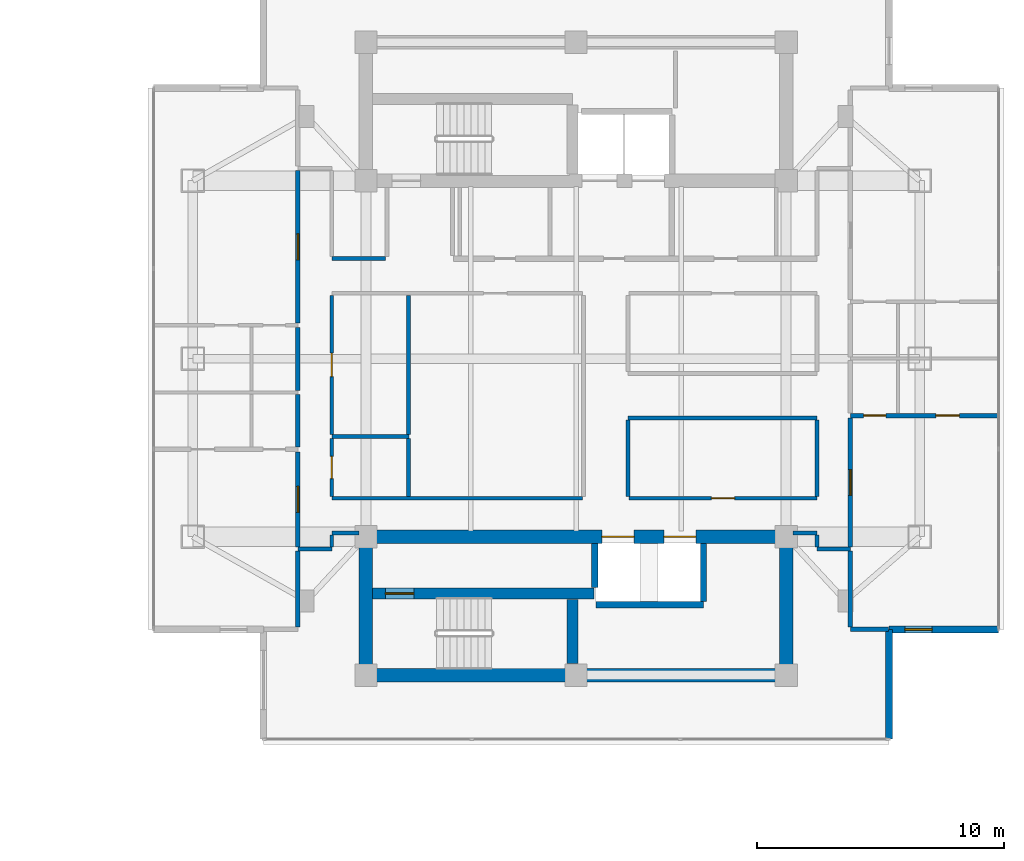
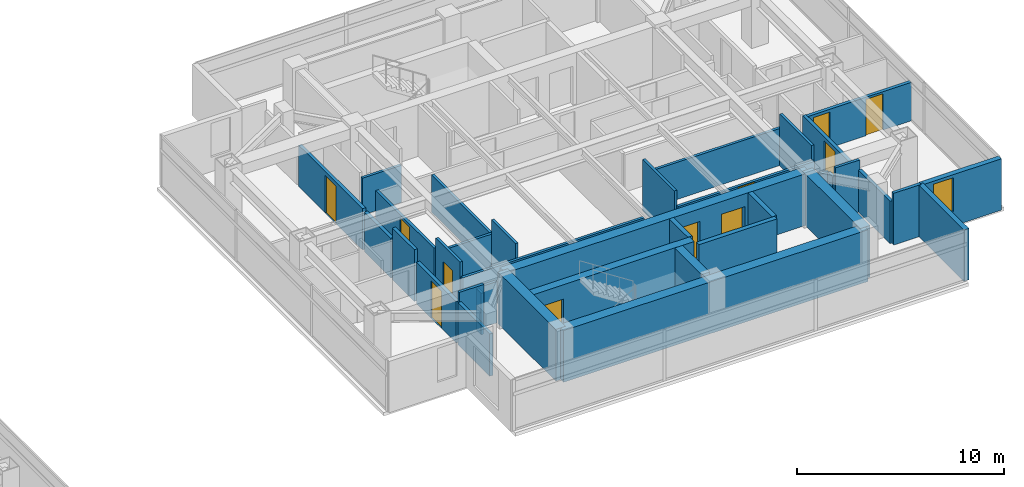
# One storey, part 16 of 24: 37 walls, 11 doors, 1 window, 12 openings.
"""IFC4 building model written with IfcOpenShell, lengths in metres."""

from ifc_helpers import new_model, si_unit, direction, frame, frame_2d, origin, place, context, subcontext, project, spatial, rectangle, extrude, material, layer, layer_set, type_object, element, fill, save


model = new_model("IFC4")

# Units and contexts
model_context = context("Model", 3, precision=1e-05, world=origin(), true_north=direction((0.0, 1.0)))
body_context = subcontext(model_context, "Body", "Model", "MODEL_VIEW")
ifc_project = project(units=[si_unit("LENGTHUNIT", "METRE"), si_unit("AREAUNIT", "SQUARE_METRE"), si_unit("VOLUMEUNIT", "CUBIC_METRE"), si_unit("PLANEANGLEUNIT", "RADIAN"), si_unit("MASSUNIT", "GRAM", prefix="KILO")], contexts=[model_context])

# Site, building, storey
site_placement = place(None, origin())
site = spatial("IfcSite", under=ifc_project, at=site_placement, CompositionType="ELEMENT")
building_placement = place(site_placement, origin())
building = spatial("IfcBuilding", under=site, at=building_placement, Name="Mirazonda Arch Towers", CompositionType="ELEMENT")
storey_placement = place(building_placement, frame((0.0, 0.0, 193.39990234375)))
storey = spatial("IfcBuildingStorey", under=building, at=storey_placement, Name="L55", CompositionType="ELEMENT", Elevation=193.39990234375)

# Wall, opening, door
ifc_material_1 = material(Name="Concrete C50/60", Category="concrete")
ifc_layer_1 = layer(ifc_material_1, 0.449951171875, Name="WALL-CORE-450")
ifc_layer_set_1 = layer_set([ifc_layer_1], Name="Concrete C50/60")
wall_type_1 = type_object("IfcWallType", Name="WALL-CORE-450", PredefinedType="SHEAR", material=ifc_layer_set_1)
wall_1_placement = place(storey_placement, frame((68.27001953125, 18.5, 0.0), z_axis=(0.0, 0.0, 1.0), x_axis=(1.0, 0.0, 0.0)))
wall_1 = element("IfcWall", 1, at=wall_1_placement, inside=storey, type_object=wall_type_1, Name="L55 Stair Core Shear Wall 013", PredefinedType="SHEAR", context=body_context, shape_type="SweptSolid", body=[
    extrude(rectangle(XDim=8.949951171875, YDim=0.449951171875, at=frame_2d((4.47509765625, 0.0))), origin(), (0.0, 0.0, 1.0), 3.050048828125),
])
opening_1_placement = place(wall_1_placement, frame((0.52001953125, 0.0, 0.0)))
opening_1 = element("IfcOpeningElement", 2, at=opening_1_placement, cuts=wall_1, Name="Opening DR-135", PredefinedType="OPENING", context=body_context, shape_type="SweptSolid", body=[
    extrude(rectangle(XDim=1.14990234375, YDim=2.199951171875, at=frame_2d((0.574951171875, 1.10009765625))), frame((0.0, 0.23486328125, 0.0), z_axis=(0.0, -1.0, 0.0), x_axis=(1.0, 0.0, 0.0)), (0.0, 0.0, 1.0), 0.469970703125),
])
ifc_material_2 = material(Name="Architectural Brushed Steel S355", Category="steel")
door_type_1 = type_object("IfcDoorType", Name="DOOR-STAIR-FD90-1150", OperationType="NOTDEFINED", PredefinedType="DOOR", material=ifc_material_2)
door_1_placement = place(opening_1_placement, origin())
door_1 = element("IfcDoor", 3, at=door_1_placement, inside=storey, type_object=door_type_1, Name="L55 East Protected Stair South Door", OperationType="SINGLE_SWING_RIGHT", OverallHeight=2.199951171875, OverallWidth=1.14990234375, PredefinedType="DOOR", context=body_context, shape_type="SweptSolid", body=[
    extrude(rectangle(XDim=1.14990234375, YDim=2.199951171875, at=frame_2d((0.574951171875, 1.10009765625))), frame((0.0, 0.02490234375, 0.0), z_axis=(0.0, -1.0, 0.0), x_axis=(1.0, 0.0, 0.0)), (0.0, 0.0, 1.0), 0.050048828125),
])
fill(opening_1, door_1)

# Walls
wall_2_placement = place(storey_placement, frame((76.360107421875, 15.6650390625, 0.0), z_axis=(0.0, 0.0, 1.0), x_axis=(0.0, 1.0, 0.0)))
element("IfcWall", 4, at=wall_2_placement, inside=storey, type_object=wall_type_1, Name="L55 Stair Core Shear Wall 129", PredefinedType="SHEAR", context=body_context, shape_type="SweptSolid", body=[
    extrude(rectangle(XDim=2.599853515625, YDim=0.449951171875, at=frame_2d((1.2998046875, 0.0))), origin(), (0.0, 0.0, 1.0), 3.050048828125),
])
ifc_layer_2 = layer(ifc_material_1, 0.550048828125, Name="WALL-CORE-550")
ifc_layer_set_2 = layer_set([ifc_layer_2], Name="Concrete C50/60")
wall_type_2 = type_object("IfcWallType", Name="WALL-CORE-550", PredefinedType="SHEAR", material=ifc_layer_set_2)
wall_3_placement = place(storey_placement, frame((68.0, 15.199951171875, 0.0), z_axis=(0.0, 0.0, 1.0), x_axis=(1.0, 0.0, 0.0)))
element("IfcWall", 5, at=wall_3_placement, inside=storey, type_object=wall_type_2, Name="L55 T2S-S Core Shear Wall", PredefinedType="SHEAR", context=body_context, shape_type="SweptSolid", body=[
    extrude(rectangle(XDim=17.0, YDim=0.550048828125, at=frame_2d((8.5, 0.0))), origin(), (0.0, 0.0, 1.0), 3.050048828125),
])
for number, where, z_axis, x_axis, name in (
    (6, (68.0, 15.199951171875, 0.0), (0.0, 0.0, 1.0), (0.0, 1.0, 0.0), "L55 T2S-W Core Shear Wall"),
    (7, (85.0, 15.199951171875, 0.0), (0.0, 0.0, 1.0), (0.0, 1.0, 0.0), "L55 T2S-E Core Shear Wall"),
):
    element("IfcWall", number, at=place(storey_placement, frame(where, z_axis=z_axis, x_axis=x_axis)), inside=storey, type_object=wall_type_2, Name=name, PredefinedType="SHEAR", context=body_context, shape_type="SweptSolid", body=[
        extrude(rectangle(XDim=5.60009765625, YDim=0.550048828125, at=frame_2d((2.800048828125, 0.0))), origin(), (0.0, 0.0, 1.0), 3.050048828125),
    ])

# Wall, openings, doors
wall_4_placement = place(storey_placement, frame((68.0, 20.800048828125, 0.0), z_axis=(0.0, 0.0, 1.0), x_axis=(1.0, 0.0, 0.0)))
wall_4 = element("IfcWall", 8, at=wall_4_placement, inside=storey, type_object=wall_type_2, Name="L55 T2S-N Core Shear Wall", PredefinedType="SHEAR", context=body_context, shape_type="SweptSolid", body=[
    extrude(rectangle(XDim=17.0, YDim=0.550048828125, at=frame_2d((8.5, 0.0))), origin(), (0.0, 0.0, 1.0), 3.050048828125),
])
opening_2_placement = place(wall_4_placement, frame((9.550048828125, 0.0, 0.0)))
opening_2 = element("IfcOpeningElement", 9, at=opening_2_placement, cuts=wall_4, Name="Opening LD-111", PredefinedType="OPENING", context=body_context, shape_type="SweptSolid", body=[
    extrude(rectangle(XDim=1.300048828125, YDim=2.300048828125, at=frame_2d((0.64990234375, 1.14990234375))), frame((0.0, 0.284912109375, 0.0), z_axis=(0.0, -1.0, 0.0), x_axis=(1.0, 0.0, 0.0)), (0.0, 0.0, 1.0), 0.570068359375),
])
opening_3_placement = place(wall_4_placement, frame((12.050048828125, 0.0, 0.0)))
opening_3 = element("IfcOpeningElement", 10, at=opening_3_placement, cuts=wall_4, Name="Opening LD-111", PredefinedType="OPENING", context=body_context, shape_type="SweptSolid", body=[
    extrude(rectangle(XDim=1.300048828125, YDim=2.300048828125, at=frame_2d((0.64990234375, 1.14990234375))), frame((0.0, 0.284912109375, 0.0), z_axis=(0.0, -1.0, 0.0), x_axis=(1.0, 0.0, 0.0)), (0.0, 0.0, 1.0), 0.570068359375),
])
door_type_2 = type_object("IfcDoorType", Name="DOOR-LIFT-LAND-1300", OperationType="NOTDEFINED", PredefinedType="DOOR", material=ifc_material_2)
door_2_placement = place(opening_2_placement, origin())
door_2 = element("IfcDoor", 11, at=door_2_placement, inside=storey, type_object=door_type_2, Name="L55 Lift Landing Sliding Door PL-T2H1", OperationType="DOUBLE_DOOR_SLIDING", OverallHeight=2.300048828125, OverallWidth=1.300048828125, PredefinedType="DOOR", context=body_context, shape_type="SweptSolid", body=[
    extrude(rectangle(XDim=1.300048828125, YDim=2.300048828125, at=frame_2d((0.64990234375, 1.14990234375))), frame((0.0, 0.02490234375, 0.0), z_axis=(0.0, -1.0, 0.0), x_axis=(1.0, 0.0, 0.0)), (0.0, 0.0, 1.0), 0.050048828125),
])
fill(opening_2, door_2)
door_3_placement = place(opening_3_placement, origin())
door_3 = element("IfcDoor", 12, at=door_3_placement, inside=storey, type_object=door_type_2, Name="L55 Lift Landing Sliding Door PL-T2H2", OperationType="DOUBLE_DOOR_SLIDING", OverallHeight=2.300048828125, OverallWidth=1.300048828125, PredefinedType="DOOR", context=body_context, shape_type="SweptSolid", body=[
    extrude(rectangle(XDim=1.300048828125, YDim=2.300048828125, at=frame_2d((0.64990234375, 1.14990234375))), frame((0.0, 0.02490234375, 0.0), z_axis=(0.0, -1.0, 0.0), x_axis=(1.0, 0.0, 0.0)), (0.0, 0.0, 1.0), 0.050048828125),
])
fill(opening_3, door_3)

# Wall, opening, window
ifc_material_3 = material(Name="Precast Concrete C40/50", Category="concrete")
ifc_layer_3 = layer(ifc_material_3, 0.280029296875, Name="WALL-EXT-WALL-280")
ifc_layer_set_3 = layer_set([ifc_layer_3], Name="Precast Concrete C40/50")
wall_type_3 = type_object("IfcWallType", Name="WALL-EXT-WALL-280", PredefinedType="SOLIDWALL", material=ifc_layer_set_3)
wall_5_placement = place(storey_placement, frame((89.15185546875, 17.05126953125, 0.0), z_axis=(0.0, 0.0, 1.0), x_axis=(1.0, 0.0, 0.0)))
wall_5 = element("IfcWall", 13, at=wall_5_placement, inside=storey, type_object=wall_type_3, Name="L55 T2 Corner Notch Return Wall WL-L55-T2-CSE1", PredefinedType="SOLIDWALL", context=body_context, shape_type="SweptSolid", body=[
    extrude(rectangle(XDim=4.439697265625, YDim=0.280029296875, at=frame_2d((2.2197265625, 0.0))), origin(), (0.0, 0.0, 1.0), 3.030029296875),
])
opening_4_placement = place(wall_5_placement, frame((0.64990234375, 0.0, 0.85009765625)))
opening_4 = element("IfcOpeningElement", 14, at=opening_4_placement, cuts=wall_5, Name="Opening WN-108", PredefinedType="OPENING", context=body_context, shape_type="SweptSolid", body=[
    extrude(rectangle(XDim=1.10009765625, YDim=2.0, at=frame_2d((0.550048828125, 1.0))), frame((0.0, 0.14990234375, 0.0), z_axis=(0.0, -1.0, 0.0), x_axis=(1.0, 0.0, 0.0)), (0.0, 0.0, 1.0), 0.300048828125),
])
ifc_material_4 = material(Name="Insulated Low-E Solar Glass", Category="glass")
window_type = type_object("IfcWindowType", Name="WIN-NOTCH-1100x2000", PartitioningType="SINGLE_PANEL", PredefinedType="WINDOW", material=ifc_material_4)
window_placement = place(opening_4_placement, origin())
window = element("IfcWindow", 15, at=window_placement, inside=storey, type_object=window_type, Name="L55 Punched Facade Window WN-L55-T2-CSE1", OverallHeight=2.0, OverallWidth=1.10009765625, PartitioningType="SINGLE_PANEL", PredefinedType="WINDOW", context=body_context, shape_type="SweptSolid", body=[
    extrude(rectangle(XDim=1.10009765625, YDim=2.0, at=frame_2d((0.550048828125, 1.0))), frame((0.0, 0.030029296875, 0.0), z_axis=(0.0, -1.0, 0.0), x_axis=(1.0, 0.0, 0.0)), (0.0, 0.0, 1.0), 0.06005859375),
])
fill(opening_4, window)

# Walls
wall_6_placement = place(storey_placement, frame((89.15185546875, 12.611572265625, 0.0), z_axis=(0.0, 0.0, 1.0), x_axis=(0.0, 1.0, 0.0)))
element("IfcWall", 16, at=wall_6_placement, inside=storey, type_object=wall_type_3, Name="L55 T2 Corner Notch Return Wall WL-L55-T2-CSE2", PredefinedType="SOLIDWALL", context=body_context, shape_type="SweptSolid", body=[
    extrude(rectangle(XDim=4.439697265625, YDim=0.280029296875, at=frame_2d((2.2197265625, 0.0))), origin(), (0.0, 0.0, 1.0), 3.030029296875),
])
ifc_material_5 = material(Name="Fire-Rated Gypsum Stud Partition")
ifc_layer_4 = layer(ifc_material_5, 0.14990234375, Name="WALL-PART-CORR-150")
ifc_layer_set_4 = layer_set([ifc_layer_4], Name="Fire-Rated Gypsum Stud Partition")
wall_type_4 = type_object("IfcWallType", Name="WALL-PART-CORR-150", PredefinedType="PARTITIONING", material=ifc_layer_set_4)
wall_7_placement = place(storey_placement, frame((65.25, 20.300048828125, 0.0), z_axis=(0.0, 0.0, 1.0), x_axis=(1.0, 0.0, 0.0)))
element("IfcWall", 17, at=wall_7_placement, inside=storey, type_object=wall_type_4, Name="L55 Interior Partition 015", PredefinedType="PARTITIONING", context=body_context, shape_type="SweptSolid", body=[
    extrude(rectangle(XDim=1.3701171875, YDim=0.14990234375, at=frame_2d((0.68505859375, 0.0))), origin(), (0.0, 0.0, 1.0), 3.050048828125),
])
wall_8_placement = place(storey_placement, frame((86.25, 20.300048828125, 0.0), z_axis=(0.0, 0.0, 1.0), x_axis=(1.0, 0.0, 0.0)))
element("IfcWall", 18, at=wall_8_placement, inside=storey, type_object=wall_type_4, Name="L55 Interior Partition 016", PredefinedType="PARTITIONING", context=body_context, shape_type="SweptSolid", body=[
    extrude(rectangle(XDim=1.35009765625, YDim=0.14990234375, at=frame_2d((0.675048828125, 0.0))), origin(), (0.0, 0.0, 1.0), 3.050048828125),
])
wall_9_placement = place(storey_placement, frame((66.6201171875, 20.949951171875, 0.0), z_axis=(0.0, 0.0, 1.0), x_axis=(1.0, 0.0, 0.0)))
element("IfcWall", 19, at=wall_9_placement, inside=storey, type_object=wall_type_4, Name="L55 Interior Partition 017", PredefinedType="PARTITIONING", context=body_context, shape_type="SweptSolid", body=[
    extrude(rectangle(XDim=1.10986328125, YDim=0.14990234375, at=frame_2d((0.554931640625, 0.0))), origin(), (0.0, 0.0, 1.0), 2.442138671875),
])
wall_10_placement = place(storey_placement, frame((85.27001953125, 20.949951171875, 0.0), z_axis=(0.0, 0.0, 1.0), x_axis=(1.0, 0.0, 0.0)))
element("IfcWall", 20, at=wall_10_placement, inside=storey, type_object=wall_type_4, Name="L55 Interior Partition 018", PredefinedType="PARTITIONING", context=body_context, shape_type="SweptSolid", body=[
    extrude(rectangle(XDim=0.97998046875, YDim=0.14990234375, at=frame_2d((0.489990234375, 0.0))), origin(), (0.0, 0.0, 1.0), 2.442138671875),
])
wall_11_placement = place(storey_placement, frame((66.6201171875, 22.35009765625, 0.0), z_axis=(0.0, 0.0, 1.0), x_axis=(1.0, 0.0, 0.0)))
element("IfcWall", 21, at=wall_11_placement, inside=storey, type_object=wall_type_4, Name="L55 Interior Partition 021", PredefinedType="PARTITIONING", context=body_context, shape_type="SweptSolid", body=[
    extrude(rectangle(XDim=10.139892578125, YDim=0.14990234375, at=frame_2d((5.06982421875, 0.0))), origin(), (0.0, 0.0, 1.0), 2.18603515625),
])

# Wall, opening, door
wall_12_placement = place(storey_placement, frame((78.639892578125, 22.35009765625, 0.0), z_axis=(0.0, 0.0, 1.0), x_axis=(1.0, 0.0, 0.0)))
wall_12 = element("IfcWall", 22, at=wall_12_placement, inside=storey, type_object=wall_type_4, Name="L55 Interior Partition 022", PredefinedType="PARTITIONING", context=body_context, shape_type="SweptSolid", body=[
    extrude(rectangle(XDim=7.610107421875, YDim=0.14990234375, at=frame_2d((3.80517578125, 0.0))), origin(), (0.0, 0.0, 1.0), 2.18603515625),
])
opening_5_placement = place(wall_12_placement, frame((3.330078125, 0.0, 0.0)))
opening_5 = element("IfcOpeningElement", 23, at=opening_5_placement, cuts=wall_12, Name="Opening DR-104", PredefinedType="OPENING", context=body_context, shape_type="SweptSolid", body=[
    extrude(rectangle(XDim=0.949951171875, YDim=2.14990234375, at=frame_2d((0.47509765625, 1.074951171875))), frame((0.0, 0.0849609375, 0.0), z_axis=(0.0, -1.0, 0.0), x_axis=(1.0, 0.0, 0.0)), (0.0, 0.0, 1.0), 0.169921875),
])
door_type_3 = type_object("IfcDoorType", Name="DOOR-ROOM-950", OperationType="NOTDEFINED", PredefinedType="DOOR", material=ifc_material_2)
door_4_placement = place(opening_5_placement, origin())
door_4 = element("IfcDoor", 24, at=door_4_placement, inside=storey, type_object=door_type_3, Name="L55 L55 Tower 2 South-East Salon Door", OperationType="SINGLE_SWING_RIGHT", OverallHeight=2.14990234375, OverallWidth=0.949951171875, PredefinedType="DOOR", context=body_context, shape_type="SweptSolid", body=[
    extrude(rectangle(XDim=0.949951171875, YDim=2.14990234375, at=frame_2d((0.47509765625, 1.074951171875))), frame((0.0, 0.02490234375, 0.0), z_axis=(0.0, -1.0, 0.0), x_axis=(1.0, 0.0, 0.0)), (0.0, 0.0, 1.0), 0.050048828125),
])
fill(opening_5, door_4)

# Walls
wall_13_placement = place(storey_placement, frame((66.6201171875, 24.85009765625, 0.0), z_axis=(0.0, 0.0, 1.0), x_axis=(1.0, 0.0, 0.0)))
element("IfcWall", 25, at=wall_13_placement, inside=storey, type_object=wall_type_4, Name="L55 Interior Partition 027", PredefinedType="PARTITIONING", context=body_context, shape_type="SweptSolid", body=[
    extrude(rectangle(XDim=3.1298828125, YDim=0.14990234375, at=frame_2d((1.56494140625, 0.0))), origin(), (0.0, 0.0, 1.0), 2.18603515625),
])
wall_14_placement = place(storey_placement, frame((78.60009765625, 25.60009765625, 0.0), z_axis=(0.0, 0.0, 1.0), x_axis=(1.0, 0.0, 0.0)))
element("IfcWall", 26, at=wall_14_placement, inside=storey, type_object=wall_type_4, Name="L55 Interior Partition 028", PredefinedType="PARTITIONING", context=body_context, shape_type="SweptSolid", body=[
    extrude(rectangle(XDim=7.64990234375, YDim=0.14990234375, at=frame_2d((3.824951171875, 0.0))), origin(), (0.0, 0.0, 1.0), 2.18603515625),
])
wall_15_placement = place(storey_placement, frame((66.6201171875, 32.050048828125, 0.0), z_axis=(0.0, 0.0, 1.0), x_axis=(1.0, 0.0, 0.0)))
element("IfcWall", 27, at=wall_15_placement, inside=storey, type_object=wall_type_4, Name="L55 Interior Partition 041", PredefinedType="PARTITIONING", context=body_context, shape_type="SweptSolid", body=[
    extrude(rectangle(XDim=2.179931640625, YDim=0.14990234375, at=frame_2d((1.08984375, 0.0))), origin(), (0.0, 0.0, 1.0), 2.18603515625),
])
wall_16_placement = place(storey_placement, frame((66.6201171875, 20.385009765625, 0.0), z_axis=(0.0, 0.0, 1.0), x_axis=(0.0, 1.0, 0.0)))
element("IfcWall", 28, at=wall_16_placement, inside=storey, type_object=wall_type_4, Name="L55 Interior Partition 119", PredefinedType="PARTITIONING", context=body_context, shape_type="SweptSolid", body=[
    extrude(rectangle(XDim=0.47998046875, YDim=0.14990234375, at=frame_2d((0.239990234375, 0.0))), origin(), (0.0, 0.0, 1.0), 2.442138671875),
])

# Wall, opening, door
wall_17_placement = place(storey_placement, frame((66.6201171875, 22.43505859375, 0.0), z_axis=(0.0, 0.0, 1.0), x_axis=(0.0, 1.0, 0.0)))
wall_17 = element("IfcWall", 29, at=wall_17_placement, inside=storey, type_object=wall_type_4, Name="L55 Interior Partition 120", PredefinedType="PARTITIONING", context=body_context, shape_type="SweptSolid", body=[
    extrude(rectangle(XDim=2.329833984375, YDim=0.14990234375, at=frame_2d((1.1650390625, 0.0))), origin(), (0.0, 0.0, 1.0), 3.050048828125),
])
opening_6_placement = place(wall_17_placement, frame((0.715087890625, 0.0, 0.0)))
opening_6 = element("IfcOpeningElement", 30, at=opening_6_placement, cuts=wall_17, Name="Opening DR-120", PredefinedType="OPENING", context=body_context, shape_type="SweptSolid", body=[
    extrude(rectangle(XDim=0.89990234375, YDim=2.10009765625, at=frame_2d((0.449951171875, 1.050048828125))), frame((0.0, 0.0849609375, 0.0), z_axis=(0.0, -1.0, 0.0), x_axis=(1.0, 0.0, 0.0)), (0.0, 0.0, 1.0), 0.169921875),
])
door_type_4 = type_object("IfcDoorType", Name="DOOR-WC-900", OperationType="NOTDEFINED", PredefinedType="DOOR", material=ifc_material_2)
door_5_placement = place(opening_6_placement, origin())
door_5 = element("IfcDoor", 31, at=door_5_placement, inside=storey, type_object=door_type_4, Name="L55 Tower 2 Common Accessible WC Door", OperationType="SINGLE_SWING_LEFT", OverallHeight=2.10009765625, OverallWidth=0.89990234375, PredefinedType="DOOR", context=body_context, shape_type="SweptSolid", body=[
    extrude(rectangle(XDim=0.89990234375, YDim=2.10009765625, at=frame_2d((0.449951171875, 1.050048828125))), frame((0.0, 0.02490234375, 0.0), z_axis=(0.0, -1.0, 0.0), x_axis=(1.0, 0.0, 0.0)), (0.0, 0.0, 1.0), 0.050048828125),
])
fill(opening_6, door_5)

wall_18_placement = place(storey_placement, frame((66.6201171875, 24.93505859375, 0.0), z_axis=(0.0, 0.0, 1.0), x_axis=(0.0, 1.0, 0.0)))
wall_18 = element("IfcWall", 32, at=wall_18_placement, inside=storey, type_object=wall_type_4, Name="L55 Interior Partition 121", PredefinedType="PARTITIONING", context=body_context, shape_type="SweptSolid", body=[
    extrude(rectangle(XDim=5.6298828125, YDim=0.14990234375, at=frame_2d((2.81494140625, 0.0))), origin(), (0.0, 0.0, 1.0), 2.34619140625),
])
opening_7_placement = place(wall_18_placement, frame((2.340087890625, 0.0, 0.0)))
opening_7 = element("IfcOpeningElement", 33, at=opening_7_placement, cuts=wall_18, Name="Opening DR-104", PredefinedType="OPENING", context=body_context, shape_type="SweptSolid", body=[
    extrude(rectangle(XDim=0.949951171875, YDim=2.14990234375, at=frame_2d((0.47509765625, 1.074951171875))), frame((0.0, 0.0849609375, 0.0), z_axis=(0.0, -1.0, 0.0), x_axis=(1.0, 0.0, 0.0)), (0.0, 0.0, 1.0), 0.169921875),
])
door_6_placement = place(opening_7_placement, origin())
door_6 = element("IfcDoor", 34, at=door_6_placement, inside=storey, type_object=door_type_3, Name="L55 L55 East Courtyard Reading Study Door", OperationType="SINGLE_SWING_RIGHT", OverallHeight=2.14990234375, OverallWidth=0.949951171875, PredefinedType="DOOR", context=body_context, shape_type="SweptSolid", body=[
    extrude(rectangle(XDim=0.949951171875, YDim=2.14990234375, at=frame_2d((0.47509765625, 1.074951171875))), frame((0.0, 0.02490234375, 0.0), z_axis=(0.0, -1.0, 0.0), x_axis=(1.0, 0.0, 0.0)), (0.0, 0.0, 1.0), 0.050048828125),
])
fill(opening_7, door_6)

# Walls
wall_19_placement = place(storey_placement, frame((69.723388671875, 22.43505859375, 0.0), z_axis=(0.0, 0.0, 1.0), x_axis=(0.0, 1.0, 0.0)))
element("IfcWall", 35, at=wall_19_placement, inside=storey, type_object=wall_type_4, Name="L55 Interior Partition 124", PredefinedType="PARTITIONING", context=body_context, shape_type="SweptSolid", body=[
    extrude(rectangle(XDim=2.329833984375, YDim=0.14990234375, at=frame_2d((1.1650390625, 0.0))), origin(), (0.0, 0.0, 1.0), 3.050048828125),
])
wall_20_placement = place(storey_placement, frame((69.723388671875, 24.93505859375, 0.0), z_axis=(0.0, 0.0, 1.0), x_axis=(0.0, 1.0, 0.0)))
element("IfcWall", 36, at=wall_20_placement, inside=storey, type_object=wall_type_4, Name="L55 Interior Partition 125", PredefinedType="PARTITIONING", context=body_context, shape_type="SweptSolid", body=[
    extrude(rectangle(XDim=5.6298828125, YDim=0.14990234375, at=frame_2d((2.81494140625, 0.0))), origin(), (0.0, 0.0, 1.0), 2.18603515625),
])
wall_21_placement = place(storey_placement, frame((78.60009765625, 22.43505859375, 0.0), z_axis=(0.0, 0.0, 1.0), x_axis=(0.0, 1.0, 0.0)))
element("IfcWall", 37, at=wall_21_placement, inside=storey, type_object=wall_type_4, Name="L55 Interior Partition 133", PredefinedType="PARTITIONING", context=body_context, shape_type="SweptSolid", body=[
    extrude(rectangle(XDim=3.079833984375, YDim=0.14990234375, at=frame_2d((1.5400390625, 0.0))), origin(), (0.0, 0.0, 1.0), 3.050048828125),
])
wall_22_placement = place(storey_placement, frame((86.25, 20.385009765625, 0.0), z_axis=(0.0, 0.0, 1.0), x_axis=(0.0, 1.0, 0.0)))
element("IfcWall", 38, at=wall_22_placement, inside=storey, type_object=wall_type_4, Name="L55 Interior Partition 140", PredefinedType="PARTITIONING", context=body_context, shape_type="SweptSolid", body=[
    extrude(rectangle(XDim=0.47998046875, YDim=0.14990234375, at=frame_2d((0.239990234375, 0.0))), origin(), (0.0, 0.0, 1.0), 2.442138671875),
])
wall_23_placement = place(storey_placement, frame((86.25, 22.43505859375, 0.0), z_axis=(0.0, 0.0, 1.0), x_axis=(0.0, 1.0, 0.0)))
element("IfcWall", 39, at=wall_23_placement, inside=storey, type_object=wall_type_4, Name="L55 Interior Partition 141", PredefinedType="PARTITIONING", context=body_context, shape_type="SweptSolid", body=[
    extrude(rectangle(XDim=3.079833984375, YDim=0.14990234375, at=frame_2d((1.5400390625, 0.0))), origin(), (0.0, 0.0, 1.0), 3.050048828125),
])
ifc_material_6 = material(Name="Fire-Rated Gypsum Twin-Stud Assembly")
ifc_layer_5 = layer(ifc_material_6, 0.179931640625, Name="WALL-PART-DEMISE-180")
ifc_layer_set_5 = layer_set([ifc_layer_5], Name="Fire-Rated Gypsum Twin-Stud Assembly")
wall_type_5 = type_object("IfcWallType", Name="WALL-PART-DEMISE-180", PredefinedType="PARTITIONING", material=ifc_layer_set_5)
wall_24_placement = place(storey_placement, frame((87.60009765625, 17.051025390625, 0.0), z_axis=(0.0, 0.0, 1.0), x_axis=(1.0, 0.0, 0.0)))
element("IfcWall", 40, at=wall_24_placement, inside=storey, type_object=wall_type_5, Name="L55 Interior Partition 009", PredefinedType="PARTITIONING", context=body_context, shape_type="SweptSolid", body=[
    extrude(rectangle(XDim=1.53173828125, YDim=0.179931640625, at=frame_2d((0.765869140625, 0.0))), origin(), (0.0, 0.0, 1.0), 3.050048828125),
])

# Wall, openings, doors
wall_25_placement = place(storey_placement, frame((87.60009765625, 25.699951171875, 0.0), z_axis=(0.0, 0.0, 1.0), x_axis=(1.0, 0.0, 0.0)))
wall_25 = element("IfcWall", 41, at=wall_25_placement, inside=storey, type_object=wall_type_5, Name="L55 Interior Partition 029", PredefinedType="PARTITIONING", context=body_context, shape_type="SweptSolid", body=[
    extrude(rectangle(XDim=5.990966796875, YDim=0.179931640625, at=frame_2d((2.99560546875, 0.0))), origin(), (0.0, 0.0, 1.0), 2.26904296875),
])
opening_8_placement = place(wall_25_placement, frame((3.458984375, 0.0, 0.0)))
opening_8 = element("IfcOpeningElement", 42, at=opening_8_placement, cuts=wall_25, Name="Opening DR-104", PredefinedType="OPENING", context=body_context, shape_type="SweptSolid", body=[
    extrude(rectangle(XDim=0.949951171875, YDim=2.14990234375, at=frame_2d((0.47509765625, 1.074951171875))), frame((0.0, 0.099853515625, 0.0), z_axis=(0.0, -1.0, 0.0), x_axis=(1.0, 0.0, 0.0)), (0.0, 0.0, 1.0), 0.199951171875),
])
opening_9_placement = place(wall_25_placement, frame((0.528564453125, 0.0, 0.0)))
opening_9 = element("IfcOpeningElement", 43, at=opening_9_placement, cuts=wall_25, Name="Opening DR-120", PredefinedType="OPENING", context=body_context, shape_type="SweptSolid", body=[
    extrude(rectangle(XDim=0.89990234375, YDim=2.10009765625, at=frame_2d((0.449951171875, 1.050048828125))), frame((0.0, 0.099853515625, 0.0), z_axis=(0.0, -1.0, 0.0), x_axis=(1.0, 0.0, 0.0)), (0.0, 0.0, 1.0), 0.199951171875),
])
door_7_placement = place(opening_8_placement, origin())
door_7 = element("IfcDoor", 44, at=door_7_placement, inside=storey, type_object=door_type_3, Name="L55 Studio 1 Galley Kitchen Door", OperationType="SINGLE_SWING_LEFT", OverallHeight=2.14990234375, OverallWidth=0.949951171875, PredefinedType="DOOR", context=body_context, shape_type="SweptSolid", body=[
    extrude(rectangle(XDim=0.949951171875, YDim=2.14990234375, at=frame_2d((0.47509765625, 1.074951171875))), frame((0.0, 0.02490234375, 0.0), z_axis=(0.0, -1.0, 0.0), x_axis=(1.0, 0.0, 0.0)), (0.0, 0.0, 1.0), 0.050048828125),
])
fill(opening_8, door_7)
door_8_placement = place(opening_9_placement, origin())
door_8 = element("IfcDoor", 45, at=door_8_placement, inside=storey, type_object=door_type_4, Name="L55 Studio 1 Bathroom Door", OperationType="SINGLE_SWING_RIGHT", OverallHeight=2.10009765625, OverallWidth=0.89990234375, PredefinedType="DOOR", context=body_context, shape_type="SweptSolid", body=[
    extrude(rectangle(XDim=0.89990234375, YDim=2.10009765625, at=frame_2d((0.449951171875, 1.050048828125))), frame((0.0, 0.02490234375, 0.0), z_axis=(0.0, -1.0, 0.0), x_axis=(1.0, 0.0, 0.0)), (0.0, 0.0, 1.0), 0.050048828125),
])
fill(opening_9, door_8)

# Wall
wall_26_placement = place(storey_placement, frame((65.25, 17.15087890625, 0.0), z_axis=(0.0, 0.0, 1.0), x_axis=(0.0, 1.0, 0.0)))
element("IfcWall", 46, at=wall_26_placement, inside=storey, type_object=wall_type_5, Name="L55 Interior Partition 113", PredefinedType="PARTITIONING", context=body_context, shape_type="SweptSolid", body=[
    extrude(rectangle(XDim=3.064208984375, YDim=0.179931640625, at=frame_2d((1.5322265625, 0.0))), origin(), (0.0, 0.0, 1.0), 2.4931640625),
])

# Wall, opening, door
wall_27_placement = place(storey_placement, frame((65.25, 20.385009765625, 0.0), z_axis=(0.0, 0.0, 1.0), x_axis=(0.0, 1.0, 0.0)))
wall_27 = element("IfcWall", 47, at=wall_27_placement, inside=storey, type_object=wall_type_5, Name="L55 Interior Partition 114", PredefinedType="PARTITIONING", context=body_context, shape_type="SweptSolid", body=[
    extrude(rectangle(XDim=3.846923828125, YDim=0.179931640625, at=frame_2d((1.92333984375, 0.0))), origin(), (0.0, 0.0, 1.0), 2.442138671875),
])
opening_10_placement = place(wall_27_placement, frame((1.3984375, 0.0, 0.0)))
opening_10 = element("IfcOpeningElement", 48, at=opening_10_placement, cuts=wall_27, Name="Opening DR-121", PredefinedType="OPENING", context=body_context, shape_type="SweptSolid", body=[
    extrude(rectangle(XDim=1.050048828125, YDim=2.199951171875, at=frame_2d((0.52490234375, 1.10009765625))), frame((0.0, 0.099853515625, 0.0), z_axis=(0.0, -1.0, 0.0), x_axis=(1.0, 0.0, 0.0)), (0.0, 0.0, 1.0), 0.199951171875),
])
door_type_5 = type_object("IfcDoorType", Name="DOOR-SUITE-FD60-1050", OperationType="NOTDEFINED", PredefinedType="DOOR", material=ifc_material_2)
door_9_placement = place(opening_10_placement, origin())
door_9 = element("IfcDoor", 49, at=door_9_placement, inside=storey, type_object=door_type_5, Name="L55 Studio Apartment 1 Living Salon Door", OperationType="SINGLE_SWING_RIGHT", OverallHeight=2.199951171875, OverallWidth=1.050048828125, PredefinedType="DOOR", context=body_context, shape_type="SweptSolid", body=[
    extrude(rectangle(XDim=1.050048828125, YDim=2.199951171875, at=frame_2d((0.52490234375, 1.10009765625))), frame((0.0, 0.02490234375, 0.0), z_axis=(0.0, -1.0, 0.0), x_axis=(1.0, 0.0, 0.0)), (0.0, 0.0, 1.0), 0.050048828125),
])
fill(opening_10, door_9)

# Walls
wall_28_placement = place(storey_placement, frame((65.25, 24.431884765625, 0.0), z_axis=(0.0, 0.0, 1.0), x_axis=(0.0, 1.0, 0.0)))
element("IfcWall", 50, at=wall_28_placement, inside=storey, type_object=wall_type_5, Name="L55 Interior Partition 115", PredefinedType="PARTITIONING", context=body_context, shape_type="SweptSolid", body=[
    extrude(rectangle(XDim=2.127685546875, YDim=0.179931640625, at=frame_2d((1.06396484375, 0.0))), origin(), (0.0, 0.0, 1.0), 3.050048828125),
])
wall_29_placement = place(storey_placement, frame((65.25, 26.70458984375, 0.0), z_axis=(0.0, 0.0, 1.0), x_axis=(0.0, 1.0, 0.0)))
element("IfcWall", 51, at=wall_29_placement, inside=storey, type_object=wall_type_5, Name="L55 Interior Partition 116", PredefinedType="PARTITIONING", context=body_context, shape_type="SweptSolid", body=[
    extrude(rectangle(XDim=2.5625, YDim=0.179931640625, at=frame_2d((1.28125, 0.0))), origin(), (0.0, 0.0, 1.0), 2.34619140625),
])

# Wall, opening, door
wall_30_placement = place(storey_placement, frame((65.25, 29.43701171875, 0.0), z_axis=(0.0, 0.0, 1.0), x_axis=(0.0, 1.0, 0.0)))
wall_30 = element("IfcWall", 52, at=wall_30_placement, inside=storey, type_object=wall_type_5, Name="L55 Interior Partition 117", PredefinedType="PARTITIONING", context=body_context, shape_type="SweptSolid", body=[
    extrude(rectangle(XDim=6.177978515625, YDim=0.179931640625, at=frame_2d((3.0888671875, 0.0))), origin(), (0.0, 0.0, 1.0), 2.442138671875),
])
opening_11_placement = place(wall_30_placement, frame((2.56396484375, 0.0, 0.0)))
opening_11 = element("IfcOpeningElement", 53, at=opening_11_placement, cuts=wall_30, Name="Opening DR-121", PredefinedType="OPENING", context=body_context, shape_type="SweptSolid", body=[
    extrude(rectangle(XDim=1.050048828125, YDim=2.199951171875, at=frame_2d((0.52490234375, 1.10009765625))), frame((0.0, 0.099853515625, 0.0), z_axis=(0.0, -1.0, 0.0), x_axis=(1.0, 0.0, 0.0)), (0.0, 0.0, 1.0), 0.199951171875),
])
door_10_placement = place(opening_11_placement, origin())
door_10 = element("IfcDoor", 54, at=door_10_placement, inside=storey, type_object=door_type_5, Name="L55 Studio Apartment 2 Living Salon Door", OperationType="SINGLE_SWING_LEFT", OverallHeight=2.199951171875, OverallWidth=1.050048828125, PredefinedType="DOOR", context=body_context, shape_type="SweptSolid", body=[
    extrude(rectangle(XDim=1.050048828125, YDim=2.199951171875, at=frame_2d((0.52490234375, 1.10009765625))), frame((0.0, 0.02490234375, 0.0), z_axis=(0.0, -1.0, 0.0), x_axis=(1.0, 0.0, 0.0)), (0.0, 0.0, 1.0), 0.050048828125),
])
fill(opening_11, door_10)

# Wall
wall_31_placement = place(storey_placement, frame((87.60009765625, 17.15087890625, 0.0), z_axis=(0.0, 0.0, 1.0), x_axis=(0.0, 1.0, 0.0)))
element("IfcWall", 55, at=wall_31_placement, inside=storey, type_object=wall_type_5, Name="L55 Interior Partition 144", PredefinedType="PARTITIONING", context=body_context, shape_type="SweptSolid", body=[
    extrude(rectangle(XDim=3.064208984375, YDim=0.179931640625, at=frame_2d((1.5322265625, 0.0))), origin(), (0.0, 0.0, 1.0), 2.4931640625),
])

# Wall, opening, door
wall_32_placement = place(storey_placement, frame((87.60009765625, 20.385009765625, 0.0), z_axis=(0.0, 0.0, 1.0), x_axis=(0.0, 1.0, 0.0)))
wall_32 = element("IfcWall", 56, at=wall_32_placement, inside=storey, type_object=wall_type_5, Name="L55 Interior Partition 145", PredefinedType="PARTITIONING", context=body_context, shape_type="SweptSolid", body=[
    extrude(rectangle(XDim=5.215087890625, YDim=0.179931640625, at=frame_2d((2.607421875, 0.0))), origin(), (0.0, 0.0, 1.0), 2.442138671875),
])
opening_12_placement = place(wall_32_placement, frame((2.08251953125, 0.0, 0.0)))
opening_12 = element("IfcOpeningElement", 57, at=opening_12_placement, cuts=wall_32, Name="Opening DR-121", PredefinedType="OPENING", context=body_context, shape_type="SweptSolid", body=[
    extrude(rectangle(XDim=1.050048828125, YDim=2.199951171875, at=frame_2d((0.52490234375, 1.10009765625))), frame((0.0, 0.099853515625, 0.0), z_axis=(0.0, -1.0, 0.0), x_axis=(1.0, 0.0, 0.0)), (0.0, 0.0, 1.0), 0.199951171875),
])
door_11_placement = place(opening_12_placement, origin())
door_11 = element("IfcDoor", 58, at=door_11_placement, inside=storey, type_object=door_type_5, Name="L55 Studio Apartment 1 Living Salon Door", OperationType="SINGLE_SWING_RIGHT", OverallHeight=2.199951171875, OverallWidth=1.050048828125, PredefinedType="DOOR", context=body_context, shape_type="SweptSolid", body=[
    extrude(rectangle(XDim=1.050048828125, YDim=2.199951171875, at=frame_2d((0.52490234375, 1.10009765625))), frame((0.0, 0.02490234375, 0.0), z_axis=(0.0, -1.0, 0.0), x_axis=(1.0, 0.0, 0.0)), (0.0, 0.0, 1.0), 0.050048828125),
])
fill(opening_12, door_11)

# Walls
ifc_material_7 = material(Name="Concrete C40/50", Category="concrete")
ifc_layer_6 = layer(ifc_material_7, 0.25, Name="WALL-SHAFT-250")
ifc_layer_set_6 = layer_set([ifc_layer_6], Name="Concrete C40/50")
wall_type_6 = type_object("IfcWallType", Name="WALL-SHAFT-250", PredefinedType="SOLIDWALL", material=ifc_layer_set_6)
wall_33_placement = place(storey_placement, frame((77.300048828125, 18.050048828125, 0.0), z_axis=(0.0, 0.0, 1.0), x_axis=(1.0, 0.0, 0.0)))
element("IfcWall", 59, at=wall_33_placement, inside=storey, type_object=wall_type_6, Name="L55 Interior Partition 010", PredefinedType="SOLIDWALL", context=body_context, shape_type="SweptSolid", body=[
    extrude(rectangle(XDim=4.349853515625, YDim=0.25, at=frame_2d((2.1748046875, 0.0))), origin(), (0.0, 0.0, 1.0), 3.050048828125),
])
wall_34_placement = place(storey_placement, frame((77.260009765625, 18.735107421875, 0.0), z_axis=(0.0, 0.0, 1.0), x_axis=(0.0, 1.0, 0.0)))
element("IfcWall", 60, at=wall_34_placement, inside=storey, type_object=wall_type_6, Name="L55 Interior Partition 132", PredefinedType="SOLIDWALL", context=body_context, shape_type="SweptSolid", body=[
    extrude(rectangle(XDim=1.794921875, YDim=0.25, at=frame_2d((0.8974609375, 0.0))), origin(), (0.0, 0.0, 1.0), 3.050048828125),
])
wall_35_placement = place(storey_placement, frame((81.64990234375, 18.18505859375, 0.0), z_axis=(0.0, 0.0, 1.0), x_axis=(0.0, 1.0, 0.0)))
element("IfcWall", 61, at=wall_35_placement, inside=storey, type_object=wall_type_6, Name="L55 Interior Partition 138", PredefinedType="SOLIDWALL", context=body_context, shape_type="SweptSolid", body=[
    extrude(rectangle(XDim=2.344970703125, YDim=0.25, at=frame_2d((1.17236328125, 0.0))), origin(), (0.0, 0.0, 1.0), 3.050048828125),
])

save(model, "model.ifc")
